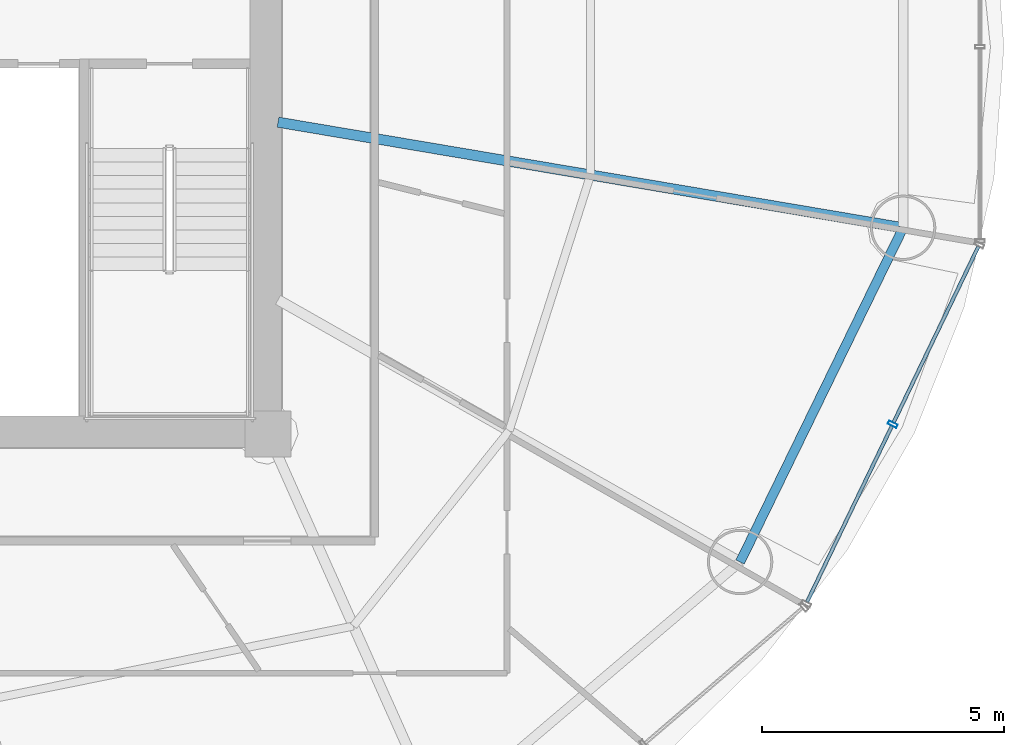
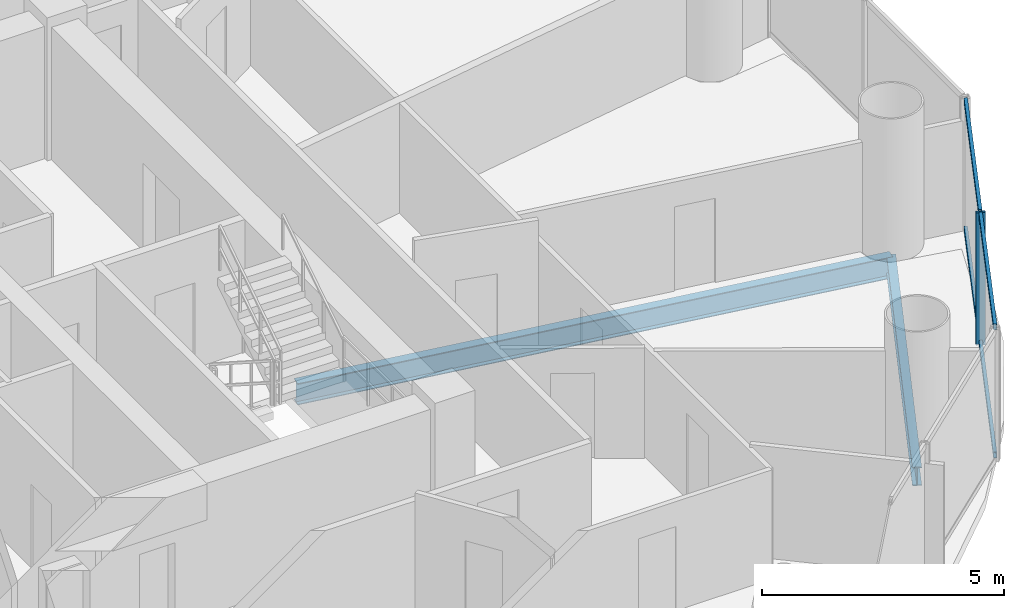
# One storey, part 11 of 26: 5 members, 2 beams, 1 element without a shape of its own.
"""IFC4 building model written with IfcOpenShell, lengths in metres."""

from ifc_helpers import new_model, si_unit, direction, frame, origin, origin_2d, place, context, subcontext, project, spatial, hollow_rectangle, i_section, extrude, source, transform, mapped, material, material_profile, profile_set, type_object, element, aggregate, save


model = new_model("IFC4")

# Units and contexts
model_context = context("Model", 3, precision=1e-05, world=origin(), true_north=direction((-0.2419218956, 0.970295726276)))
body_context = subcontext(model_context, "Body", "Model", "MODEL_VIEW")
ifc_project = project(units=[si_unit("LENGTHUNIT", "METRE"), si_unit("AREAUNIT", "SQUARE_METRE"), si_unit("VOLUMEUNIT", "CUBIC_METRE"), si_unit("PLANEANGLEUNIT", "RADIAN"), si_unit("MASSUNIT", "GRAM", prefix="KILO")], contexts=[model_context])

# Site, building, storey
site_placement = place(None, origin())
site = spatial("IfcSite", under=ifc_project, at=site_placement, CompositionType="ELEMENT")
building_placement = place(site_placement, origin())
building = spatial("IfcBuilding", under=site, at=building_placement, Name="Cobrevalo Terracotta Tower", CompositionType="ELEMENT")
storey_placement = place(building_placement, frame((0.0, 0.0, 135.39990234375)))
storey = spatial("IfcBuildingStorey", under=building, at=storey_placement, Name="L35", CompositionType="ELEMENT", Elevation=135.39990234375)

# Beams
ifc_material_1 = material(Name="Steel S355", Category="steel")
ifc_material_profile_1 = material_profile(ifc_material_1, i_section(OverallWidth=0.2109375, OverallDepth=0.5390625, WebThickness=0.01171875, FlangeThickness=0.018798828125, at=origin_2d()), Name="W 530x109")
ifc_profile_set_1 = profile_set([ifc_material_profile_1], Name="Steel S355")
beam_type_1 = type_object("IfcBeamType", Name="Structural Beam W 530x109 (Steel S355)", PredefinedType="BEAM", material=ifc_profile_set_1)
beam_1_placement = place(storey_placement, frame((60.11669921875, 23.06396484375, -0.539306640625), z_axis=(-0.986029732232, 0.166569406417, 0.0), x_axis=(-0.166569406417, -0.986029732232, 0.0)))
element("IfcBeam", 1, at=beam_1_placement, inside=storey, type_object=beam_type_1, Name="L35 radial floor girder 16", PredefinedType="BEAM", context=body_context, shape_type="SweptSolid", body=[
    extrude(i_section(OverallWidth=0.2109375, OverallDepth=0.5390625, WebThickness=0.01171875, FlangeThickness=0.018798828125, at=origin_2d()), origin(), (0.0, 0.0, 1.0), 13.094482421875),
])
ifc_material_profile_2 = material_profile(ifc_material_1, i_section(OverallWidth=0.194091796875, OverallDepth=0.468994140625, WebThickness=0.011474609375, FlangeThickness=0.0205078125, at=origin_2d()), Name="W 460x106")
ifc_profile_set_2 = profile_set([ifc_material_profile_2], Name="Steel S355")
beam_type_2 = type_object("IfcBeamType", Name="Structural Spandrel W 460x106 (Steel S355)", PredefinedType="SPANDREL", material=ifc_profile_set_2)
beam_2_placement = place(storey_placement, frame((56.749755859375, 16.160888671875, -0.50439453125), z_axis=(0.438380418332, 0.898789524206, 0.0), x_axis=(-0.898789524206, 0.438380418332, 0.0)))
element("IfcBeam", 2, at=beam_2_placement, inside=storey, type_object=beam_type_2, Name="L35 perimeter ring spandrel 15", PredefinedType="SPANDREL", context=body_context, shape_type="SweptSolid", body=[
    extrude(i_section(OverallWidth=0.194091796875, OverallDepth=0.468994140625, WebThickness=0.011474609375, FlangeThickness=0.0205078125, at=origin_2d()), origin(), (0.0, 0.0, 1.0), 7.680419921875),
])

# Curtain wall, members
ifc_material_2 = material(Name="Anodized aluminium", Category="aluminium")
curtain_wall_type = type_object("IfcCurtainWallType", Name="Mid-tower high-wind unitised curtain wall CW-U2", PredefinedType="NOTDEFINED", material=ifc_material_2)
curtain_wall_placement = place(storey_placement, origin())
curtain_wall = element("IfcCurtainWall", 3, at=curtain_wall_placement, inside=storey, type_object=curtain_wall_type, Name="L35 curtain wall CW-L35-S15", PredefinedType="NOTDEFINED")
ifc_material_profile_3 = material_profile(ifc_material_2, hollow_rectangle(XDim=0.074951171875, YDim=0.199951171875, WallThickness=0.0048828125, at=origin_2d()), Name="CWM 75x200")
ifc_profile_set_3 = profile_set([ifc_material_profile_3], Name="Anodized aluminium")
member_type_1 = type_object("IfcMemberType", Name="Lower/mid tower unitised mullion 75x200", PredefinedType="MULLION", material=ifc_profile_set_3)
shared_shape_1 = source(origin(), body_context, "Body", "SweptSolid", [
    extrude(hollow_rectangle(XDim=0.074951171875, YDim=0.199951171875, WallThickness=0.0048828125, at=origin_2d()), origin(), (0.0, 0.0, 1.0), 3.330078125),
])
member_1_placement = place(storey_placement, frame((59.901123046875, 19.00439453125, 0.0), z_axis=(0.0, 0.0, 1.0), x_axis=(0.434209440271, 0.900811945957, 0.0)))
member_1 = element("IfcMember", 4, at=member_1_placement, type_object=member_type_1, Name="CW-L35-S15 vertical mullion 02", PredefinedType="MULLION", context=body_context, shape_type="MappedRepresentation", body=[
    mapped(shared_shape_1, transform((0.0, 0.0, 0.0), scale=1.0)),
])
ifc_material_profile_4 = material_profile(ifc_material_2, hollow_rectangle(XDim=0.074951171875, YDim=0.14990234375, WallThickness=0.00439453125, at=origin_2d()), Name="CWT 75x150")
ifc_profile_set_4 = profile_set([ifc_material_profile_4], Name="Anodized aluminium")
member_type_2 = type_object("IfcMemberType", Name="Tower unitised aluminium transom 75x150", PredefinedType="USERDEFINED", material=ifc_profile_set_4)
shared_shape_2 = source(origin(), body_context, "Body", "SweptSolid", [
    extrude(hollow_rectangle(XDim=0.074951171875, YDim=0.14990234375, WallThickness=0.00439453125, at=origin_2d()), origin(), (0.0, 0.0, 1.0), 4.035888671875),
])
member_2_placement = place(storey_placement, frame((58.13134765625, 15.332763671875, 0.050048828125), z_axis=(0.434221176581, 0.900806288726, 0.0), x_axis=(-0.900806288726, 0.434221176581, 0.0)))
member_2 = element("IfcMember", 5, at=member_2_placement, type_object=member_type_2, Name="CW-L35-S15 transom B01-T1", ObjectType="TRANSOM", PredefinedType="USERDEFINED", context=body_context, shape_type="MappedRepresentation", body=[
    mapped(shared_shape_2, transform((0.0, 0.0, 0.0), scale=1.0)),
])
member_3_placement = place(storey_placement, frame((58.13134765625, 15.332763671875, 3.280029296875), z_axis=(0.434221176581, 0.900806288726, 0.0), x_axis=(-0.900806288726, 0.434221176581, 0.0)))
member_3 = element("IfcMember", 6, at=member_3_placement, type_object=member_type_2, Name="CW-L35-S15 transom B01-T2", ObjectType="TRANSOM", PredefinedType="USERDEFINED", context=body_context, shape_type="MappedRepresentation", body=[
    mapped(shared_shape_2, transform((0.0, 0.0, 0.0), scale=1.0)),
])
member_4_placement = place(storey_placement, frame((59.91845703125, 19.04052734375, 0.050048828125), z_axis=(0.434221176581, 0.900806288726, 0.0), x_axis=(-0.900806288726, 0.434221176581, 0.0)))
member_4 = element("IfcMember", 7, at=member_4_placement, type_object=member_type_2, Name="CW-L35-S15 transom B02-T1", ObjectType="TRANSOM", PredefinedType="USERDEFINED", context=body_context, shape_type="MappedRepresentation", body=[
    mapped(shared_shape_2, transform((0.0, 0.0, 0.0), scale=1.0)),
])
member_5_placement = place(storey_placement, frame((59.91845703125, 19.04052734375, 3.280029296875), z_axis=(0.434221176581, 0.900806288726, 0.0), x_axis=(-0.900806288726, 0.434221176581, 0.0)))
member_5 = element("IfcMember", 8, at=member_5_placement, type_object=member_type_2, Name="CW-L35-S15 transom B02-T2", ObjectType="TRANSOM", PredefinedType="USERDEFINED", context=body_context, shape_type="MappedRepresentation", body=[
    mapped(shared_shape_2, transform((0.0, 0.0, 0.0), scale=1.0)),
])
aggregate(curtain_wall, [member_1, member_2, member_3, member_4, member_5])

save(model, "model.ifc")
